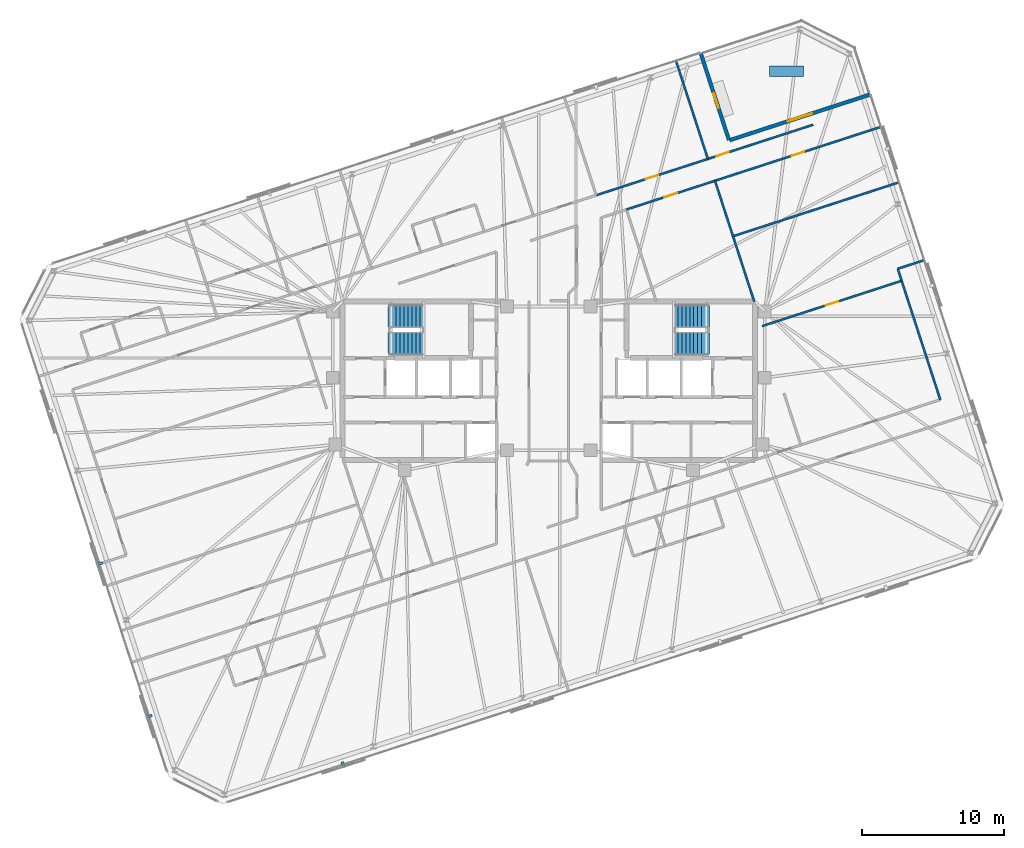
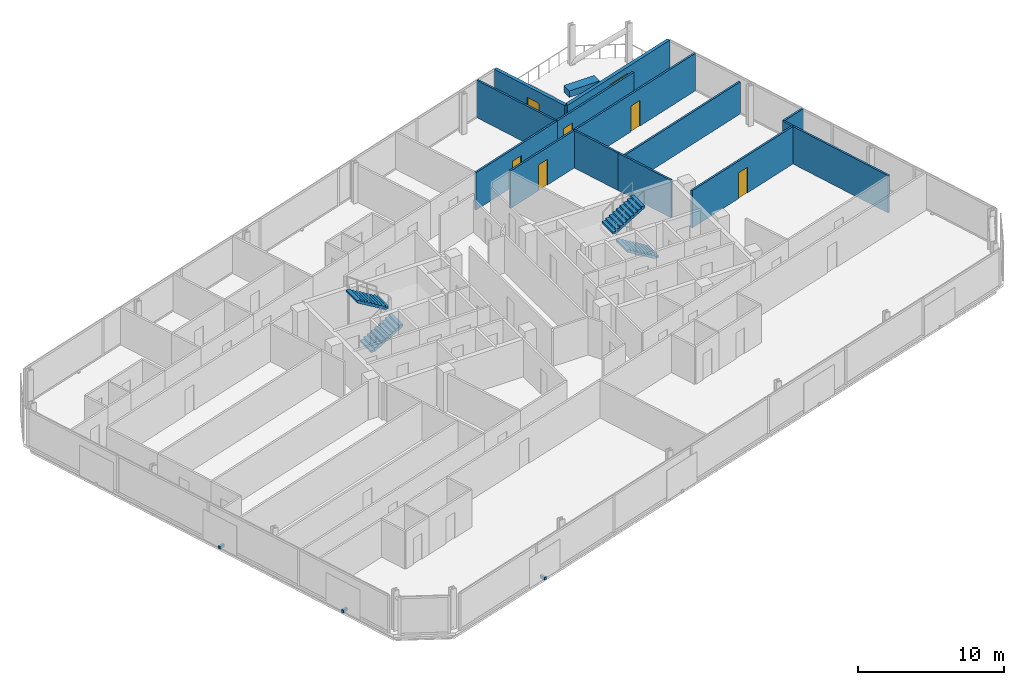
# One storey, part 17 of 19: 14 walls, 6 doors, 4 discrete accessories, 4 stair flights, 1 window, 7 openings, 2 elements without a shape of their own.
"""IFC4 building model written with IfcOpenShell, lengths in metres."""

from ifc_helpers import new_model, si_unit, direction, frame, frame_2d, origin, origin_2d, place, context, subcontext, project, spatial, polyline, rectangle, outline, extrude, material, layer, layer_set, type_object, element, fill, aggregate, save


model = new_model("IFC4")

# Units and contexts
model_context = context("Model", 3, precision=1e-05, world=origin(), true_north=direction((0.0, 1.0)))
body_context = subcontext(model_context, "Body", "Model", "MODEL_VIEW")
ifc_project = project(units=[si_unit("LENGTHUNIT", "METRE"), si_unit("AREAUNIT", "SQUARE_METRE"), si_unit("VOLUMEUNIT", "CUBIC_METRE"), si_unit("PLANEANGLEUNIT", "RADIAN"), si_unit("MASSUNIT", "GRAM", prefix="KILO")], contexts=[model_context])

# Site, building, storey
site_placement = place(None, origin())
site = spatial("IfcSite", under=ifc_project, at=site_placement, CompositionType="ELEMENT")
building_placement = place(site_placement, origin())
building = spatial("IfcBuilding", under=site, at=building_placement, Name="Menara Jurai Vektor", CompositionType="ELEMENT")
storey_placement = place(building_placement, frame((0.0, 0.0, 231.0)))
storey = spatial("IfcBuildingStorey", under=building, at=storey_placement, Name="L61", CompositionType="ELEMENT", Elevation=231.0)

# Wall, opening, window
ifc_material_1 = material(Name="Insulated Pale Aluminium Terrace Wall", Category="aluminium")
ifc_layer_1 = layer(ifc_material_1, 0.260009765625)
ifc_layer_set_1 = layer_set([ifc_layer_1], Name="Insulated Pale Aluminium Terrace Wall")
wall_type_1 = type_object("IfcWallType", Name="ENV-WALL-EXT260", PredefinedType="STANDARD", material=ifc_layer_set_1)
wall_1_placement = place(storey_placement, frame((22.6826171875, 20.20947265625, 0.0), z_axis=(0.0, 0.0, 1.0), x_axis=(-0.951059842903, -0.309006755941, 0.0)))
wall_1 = element("IfcWall", 1, at=wall_1_placement, inside=storey, type_object=wall_type_1, Name="Recessed Sky Terrace Wall L61-01", PredefinedType="STANDARD", context=body_context, shape_type="SweptSolid", body=[
    extrude(rectangle(XDim=10.440185546875, YDim=0.260009765625, at=frame_2d((5.22021484375, 0.0))), origin(), (0.0, 0.0, 1.0), 3.125),
])
opening_1_placement = place(wall_1_placement, frame((4.320068359375, 0.0, 0.800048828125)))
opening_1 = element("IfcOpeningElement", 2, at=opening_1_placement, cuts=wall_1, Name="Opening TW-18", PredefinedType="OPENING", context=body_context, shape_type="SweptSolid", body=[
    extrude(rectangle(XDim=1.800048828125, YDim=1.800048828125, at=frame_2d((0.89990234375, 0.89990234375))), frame((0.0, 0.14013671875, 0.0), z_axis=(0.0, -1.0, 0.0), x_axis=(1.0, 0.0, 0.0)), (0.0, 0.0, 1.0), 0.280029296875),
])
ifc_material_2 = material(Name="Low-E Double Glazed Pale Aluminium Window", Category="aluminium")
window_type = type_object("IfcWindowType", Name="ENV-WIN-TER180", PartitioningType="SINGLE_PANEL", PredefinedType="WINDOW", material=ifc_material_2)
window_placement = place(opening_1_placement, origin())
window = element("IfcWindow", 3, at=window_placement, inside=storey, type_object=window_type, Name="Spiral Terrace Outlook Window L61", OverallHeight=1.800048828125, OverallWidth=1.800048828125, PartitioningType="SINGLE_PANEL", PredefinedType="WINDOW", context=body_context, shape_type="SweptSolid", body=[
    extrude(rectangle(XDim=1.800048828125, YDim=1.800048828125, at=frame_2d((0.89990234375, 0.89990234375))), frame((0.0, 0.030029296875, 0.0), z_axis=(0.0, -1.0, 0.0), x_axis=(1.0, 0.0, 0.0)), (0.0, 0.0, 1.0), 0.06005859375),
])
fill(opening_1, window)

# Wall, opening, door
wall_2_placement = place(storey_placement, frame((12.715576171875, 17.002685546875, 0.0), z_axis=(0.0, 0.0, 1.0), x_axis=(-0.309008064496, 0.951059417742, 0.0)))
wall_2 = element("IfcWall", 4, at=wall_2_placement, inside=storey, type_object=wall_type_1, Name="Recessed Sky Terrace Wall L61-02", PredefinedType="STANDARD", context=body_context, shape_type="SweptSolid", body=[
    extrude(rectangle(XDim=6.43994140625, YDim=0.260009765625, at=frame_2d((3.219970703125, 0.0))), origin(), (0.0, 0.0, 1.0), 3.125),
])
opening_2_placement = place(wall_2_placement, frame((2.347900390625, 0.0, 0.0)))
opening_2 = element("IfcOpeningElement", 5, at=opening_2_placement, cuts=wall_2, Name="Opening TD-L61", PredefinedType="OPENING", context=body_context, shape_type="SweptSolid", body=[
    extrude(rectangle(XDim=1.10009765625, YDim=2.199951171875, at=frame_2d((0.550048828125, 1.10009765625))), frame((0.0, 0.14013671875, 0.0), z_axis=(0.0, -1.0, 0.0), x_axis=(1.0, 0.0, 0.0)), (0.0, 0.0, 1.0), 0.280029296875),
])
ifc_material_3 = material(Name="Anodised Aluminium Glazed Terrace Door", Category="aluminium")
door_type_1 = type_object("IfcDoorType", Name="ENV-DOOR-TER110", OperationType="NOTDEFINED", PredefinedType="DOOR", material=ifc_material_3)
door_1_placement = place(opening_2_placement, frame((1.10009765625, 0.0, 0.0), z_axis=(0.0, 0.0, 1.0), x_axis=(-1.0, 0.0, 0.0)))
door_1 = element("IfcDoor", 6, at=door_1_placement, inside=storey, type_object=door_type_1, Name="Spiral Corner Terrace Access Door L61", OperationType="SINGLE_SWING_LEFT", OverallHeight=2.199951171875, OverallWidth=1.10009765625, PredefinedType="DOOR", context=body_context, shape_type="SweptSolid", body=[
    extrude(rectangle(XDim=1.10009765625, YDim=2.199951171875, at=frame_2d((0.550048828125, 1.10009765625))), frame((0.0, 0.02490234375, 0.0), z_axis=(0.0, -1.0, 0.0), x_axis=(1.0, 0.0, 0.0)), (0.0, 0.0, 1.0), 0.050048828125),
])
fill(opening_2, door_1)

ifc_material_4 = material(Name="Gypsum Fireboard Partition", Category="gypsum")
ifc_layer_2 = layer(ifc_material_4, 0.14990234375)
ifc_layer_set_2 = layer_set([ifc_layer_2], Name="Gypsum Fireboard Partition")
wall_type_2 = type_object("IfcWallType", Name="INT-WALL-CORR-150", PredefinedType="PARTITIONING", material=ifc_layer_set_2)
wall_3_placement = place(storey_placement, frame((5.47900390625, 12.092041015625, 0.0), z_axis=(0.0, 0.0, 1.0), x_axis=(0.951051809397, 0.309031480343, 0.0)))
wall_3 = element("IfcWall", 7, at=wall_3_placement, inside=storey, type_object=wall_type_2, Name="Interior Wall IW-150 L61", PredefinedType="PARTITIONING", context=body_context, shape_type="SweptSolid", body=[
    extrude(rectangle(XDim=6.572998046875, YDim=0.14990234375, at=frame_2d((3.28662109375, 0.0))), origin(), (0.0, 0.0, 1.0), 3.125),
])
opening_3_placement = place(wall_3_placement, frame((2.826416015625, 0.0, 0.0)))
opening_3 = element("IfcOpeningElement", 8, at=opening_3_placement, cuts=wall_3, Name="Opening D61-35", PredefinedType="OPENING", context=body_context, shape_type="SweptSolid", body=[
    extrude(rectangle(XDim=0.919921875, YDim=2.14990234375, at=frame_2d((0.4599609375, 1.074951171875))), frame((0.0, 0.0849609375, 0.0), z_axis=(0.0, -1.0, 0.0), x_axis=(1.0, 0.0, 0.0)), (0.0, 0.0, 1.0), 0.169921875),
])
ifc_material_5 = material(Name="Solid Core Timber Fire Door", Category="wood")
door_type_2 = type_object("IfcDoorType", Name="DR-ENTRY-950", OperationType="NOTDEFINED", PredefinedType="DOOR", material=ifc_material_5)
door_2_placement = place(opening_3_placement, origin())
door_2 = element("IfcDoor", 9, at=door_2_placement, inside=storey, type_object=door_type_2, Name="Interior Door D61-35", OperationType="SINGLE_SWING_RIGHT", OverallHeight=2.14990234375, OverallWidth=0.919921875, PredefinedType="DOOR", context=body_context, shape_type="SweptSolid", body=[
    extrude(rectangle(XDim=0.919921875, YDim=2.14990234375, at=frame_2d((0.4599609375, 1.074951171875))), frame((0.0, 0.02490234375, 0.0), z_axis=(0.0, -1.0, 0.0), x_axis=(1.0, 0.0, 0.0)), (0.0, 0.0, 1.0), 0.050048828125),
])
fill(opening_3, door_2)

wall_4_placement = place(storey_placement, frame((3.345458984375, 13.102294921875, 0.0), z_axis=(0.0, 0.0, 1.0), x_axis=(0.951061984224, 0.309000165314, 0.0)))
wall_4 = element("IfcWall", 10, at=wall_4_placement, inside=storey, type_object=wall_type_2, Name="Interior Wall IW-150 L61", PredefinedType="PARTITIONING", context=body_context, shape_type="SweptSolid", body=[
    extrude(rectangle(XDim=8.289794921875, YDim=0.14990234375, at=frame_2d((4.14501953125, 0.0))), origin(), (0.0, 0.0, 1.0), 3.125),
])
opening_4_placement = place(wall_4_placement, frame((3.68505859375, 0.0, 0.0)))
opening_4 = element("IfcOpeningElement", 11, at=opening_4_placement, cuts=wall_4, Name="Opening D61-42", PredefinedType="OPENING", context=body_context, shape_type="SweptSolid", body=[
    extrude(rectangle(XDim=0.919921875, YDim=2.14990234375, at=frame_2d((0.4599609375, 1.074951171875))), frame((0.0, 0.0849609375, 0.0), z_axis=(0.0, -1.0, 0.0), x_axis=(1.0, 0.0, 0.0)), (0.0, 0.0, 1.0), 0.169921875),
])
door_3_placement = place(opening_4_placement, origin())
door_3 = element("IfcDoor", 12, at=door_3_placement, inside=storey, type_object=door_type_2, Name="Interior Door D61-42", OperationType="SINGLE_SWING_LEFT", OverallHeight=2.14990234375, OverallWidth=0.919921875, PredefinedType="DOOR", context=body_context, shape_type="SweptSolid", body=[
    extrude(rectangle(XDim=0.919921875, YDim=2.14990234375, at=frame_2d((0.4599609375, 1.074951171875))), frame((0.0, 0.02490234375, 0.0), z_axis=(0.0, -1.0, 0.0), x_axis=(1.0, 0.0, 0.0)), (0.0, 0.0, 1.0), 0.050048828125),
])
fill(opening_4, door_3)

# Walls
wall_5_placement = place(storey_placement, frame((27.63671875, -1.331787109375, 0.0), z_axis=(0.0, 0.0, 1.0), x_axis=(-0.309040411618, 0.951048907253, 0.0)))
element("IfcWall", 13, at=wall_5_placement, inside=storey, type_object=wall_type_2, Name="Interior Wall IW-150 L61", PredefinedType="PARTITIONING", context=body_context, shape_type="SweptSolid", body=[
    extrude(rectangle(XDim=8.825927734375, YDim=0.14990234375, at=frame_2d((4.4130859375, 0.0))), origin(), (0.0, 0.0, 1.0), 3.125),
])
wall_6_placement = place(storey_placement, frame((24.9091796875, 7.06201171875, 0.0), z_axis=(0.0, 0.0, 1.0), x_axis=(-0.30899324298, 0.951064233263, 0.0)))
element("IfcWall", 14, at=wall_6_placement, inside=storey, type_object=wall_type_2, Name="Interior Wall IW-150 L61", PredefinedType="PARTITIONING", context=body_context, shape_type="SweptSolid", body=[
    extrude(rectangle(XDim=0.89208984375, YDim=0.14990234375, at=frame_2d((0.446044921875, 0.0))), origin(), (0.0, 0.0, 1.0), 3.125),
])
wall_7_placement = place(storey_placement, frame((24.633544921875, 7.910400390625, 0.0), z_axis=(0.0, 0.0, 1.0), x_axis=(0.951054051148, 0.309024581215, 0.0)))
element("IfcWall", 15, at=wall_7_placement, inside=storey, type_object=wall_type_2, Name="Interior Wall IW-150 L61", PredefinedType="PARTITIONING", context=body_context, shape_type="SweptSolid", body=[
    extrude(rectangle(XDim=1.97509765625, YDim=0.14990234375, at=frame_2d((0.987548828125, 0.0))), origin(), (0.0, 0.0, 1.0), 3.125),
])

# Wall, opening, door
wall_8_placement = place(storey_placement, frame((11.730224609375, 14.123291015625, 0.0), z_axis=(0.0, 0.0, 1.0), x_axis=(0.951060263663, 0.309005460926, 0.0)))
wall_8 = element("IfcWall", 16, at=wall_8_placement, inside=storey, type_object=wall_type_2, Name="Interior Wall IW-150 L61", PredefinedType="PARTITIONING", context=body_context, shape_type="SweptSolid", body=[
    extrude(rectangle(XDim=12.326904296875, YDim=0.14990234375, at=frame_2d((6.16357421875, 0.0))), origin(), (0.0, 0.0, 1.0), 3.125),
])
opening_5_placement = place(wall_8_placement, frame((5.70361328125, 0.0, 0.0)))
opening_5 = element("IfcOpeningElement", 17, at=opening_5_placement, cuts=wall_8, Name="Opening D61-45", PredefinedType="OPENING", context=body_context, shape_type="SweptSolid", body=[
    extrude(rectangle(XDim=0.919921875, YDim=2.14990234375, at=frame_2d((0.4599609375, 1.074951171875))), frame((0.0, 0.0849609375, 0.0), z_axis=(0.0, -1.0, 0.0), x_axis=(1.0, 0.0, 0.0)), (0.0, 0.0, 1.0), 0.169921875),
])
door_4_placement = place(opening_5_placement, origin())
door_4 = element("IfcDoor", 18, at=door_4_placement, inside=storey, type_object=door_type_2, Name="Interior Door D61-45", OperationType="SINGLE_SWING_RIGHT", OverallHeight=2.14990234375, OverallWidth=0.919921875, PredefinedType="DOOR", context=body_context, shape_type="SweptSolid", body=[
    extrude(rectangle(XDim=0.919921875, YDim=2.14990234375, at=frame_2d((0.4599609375, 1.074951171875))), frame((0.0, 0.02490234375, 0.0), z_axis=(0.0, -1.0, 0.0), x_axis=(1.0, 0.0, 0.0)), (0.0, 0.0, 1.0), 0.050048828125),
])
fill(opening_5, door_4)

wall_9_placement = place(storey_placement, frame((11.2294921875, 15.663818359375, 0.0), z_axis=(0.0, 0.0, 1.0), x_axis=(0.951056113966, 0.309018232614, 0.0)))
wall_9 = element("IfcWall", 19, at=wall_9_placement, inside=storey, type_object=wall_type_2, Name="Interior Wall IW-150 L61", PredefinedType="PARTITIONING", context=body_context, shape_type="SweptSolid", body=[
    extrude(rectangle(XDim=7.81201171875, YDim=0.14990234375, at=frame_2d((3.906005859375, 0.0))), origin(), (0.0, 0.0, 1.0), 3.125),
])
opening_6_placement = place(wall_9_placement, frame((0.6337890625, 0.0, 0.0)))
opening_6 = element("IfcOpeningElement", 20, at=opening_6_placement, cuts=wall_9, Name="Opening D61-46", PredefinedType="OPENING", context=body_context, shape_type="SweptSolid", body=[
    extrude(rectangle(XDim=0.919921875, YDim=2.14990234375, at=frame_2d((0.4599609375, 1.074951171875))), frame((0.0, 0.0849609375, 0.0), z_axis=(0.0, -1.0, 0.0), x_axis=(1.0, 0.0, 0.0)), (0.0, 0.0, 1.0), 0.169921875),
])
door_5_placement = place(opening_6_placement, origin())
door_5 = element("IfcDoor", 21, at=door_5_placement, inside=storey, type_object=door_type_2, Name="Interior Door D61-46", OperationType="SINGLE_SWING_LEFT", OverallHeight=2.14990234375, OverallWidth=0.919921875, PredefinedType="DOOR", context=body_context, shape_type="SweptSolid", body=[
    extrude(rectangle(XDim=0.919921875, YDim=2.14990234375, at=frame_2d((0.4599609375, 1.074951171875))), frame((0.0, 0.02490234375, 0.0), z_axis=(0.0, -1.0, 0.0), x_axis=(1.0, 0.0, 0.0)), (0.0, 0.0, 1.0), 0.050048828125),
])
fill(opening_6, door_5)

# Walls
wall_10_placement = place(storey_placement, frame((14.49951171875, 5.599853515625, 0.0), z_axis=(0.0, 0.0, 1.0), x_axis=(-0.308974360462, 0.951070367837, 0.0)))
element("IfcWall", 22, at=wall_10_placement, inside=storey, type_object=wall_type_2, Name="Interior Wall IW-150 L61", PredefinedType="PARTITIONING", context=body_context, shape_type="SweptSolid", body=[
    extrude(rectangle(XDim=4.843017578125, YDim=0.14990234375, at=frame_2d((2.42138671875, 0.0))), origin(), (0.0, 0.0, 1.0), 3.125),
])
wall_11_placement = place(storey_placement, frame((13.003173828125, 10.205810546875, 0.0), z_axis=(0.0, 0.0, 1.0), x_axis=(-0.309035144366, 0.951050618814, 0.0)))
element("IfcWall", 23, at=wall_11_placement, inside=storey, type_object=wall_type_2, Name="Interior Wall IW-150 L61", PredefinedType="PARTITIONING", context=body_context, shape_type="SweptSolid", body=[
    extrude(rectangle(XDim=4.119140625, YDim=0.14990234375, at=frame_2d((2.0595703125, 0.0))), origin(), (0.0, 0.0, 1.0), 3.125),
])
wall_12_placement = place(storey_placement, frame((11.2294921875, 15.663818359375, 0.0), z_axis=(0.0, 0.0, 1.0), x_axis=(-0.308998913866, 0.951062390819, 0.0)))
element("IfcWall", 24, at=wall_12_placement, inside=storey, type_object=wall_type_2, Name="Interior Wall IW-150 L61", PredefinedType="PARTITIONING", context=body_context, shape_type="SweptSolid", body=[
    extrude(rectangle(XDim=7.283935546875, YDim=0.14990234375, at=frame_2d((3.64208984375, 0.0))), origin(), (0.0, 0.0, 1.0), 3.125),
])

# Wall, opening, door
wall_13_placement = place(storey_placement, frame((15.06396484375, 3.86328125, 0.0), z_axis=(0.0, 0.0, 1.0), x_axis=(0.951061448945, 0.309001812827, 0.0)))
wall_13 = element("IfcWall", 25, at=wall_13_placement, inside=storey, type_object=wall_type_2, Name="Interior Wall IW-150 L61", PredefinedType="PARTITIONING", context=body_context, shape_type="SweptSolid", body=[
    extrude(rectangle(XDim=10.351806640625, YDim=0.14990234375, at=frame_2d((5.17578125, 0.0))), origin(), (0.0, 0.0, 1.0), 3.125),
])
opening_7_placement = place(wall_13_placement, frame((4.716064453125, 0.0, 0.0)))
opening_7 = element("IfcOpeningElement", 26, at=opening_7_placement, cuts=wall_13, Name="Opening D61-44", PredefinedType="OPENING", context=body_context, shape_type="SweptSolid", body=[
    extrude(rectangle(XDim=0.919921875, YDim=2.14990234375, at=frame_2d((0.4599609375, 1.074951171875))), frame((0.0, 0.0849609375, 0.0), z_axis=(0.0, -1.0, 0.0), x_axis=(1.0, 0.0, 0.0)), (0.0, 0.0, 1.0), 0.169921875),
])
door_6_placement = place(opening_7_placement, origin())
door_6 = element("IfcDoor", 27, at=door_6_placement, inside=storey, type_object=door_type_2, Name="Interior Door D61-44", OperationType="SINGLE_SWING_LEFT", OverallHeight=2.14990234375, OverallWidth=0.919921875, PredefinedType="DOOR", context=body_context, shape_type="SweptSolid", body=[
    extrude(rectangle(XDim=0.919921875, YDim=2.14990234375, at=frame_2d((0.4599609375, 1.074951171875))), frame((0.0, 0.02490234375, 0.0), z_axis=(0.0, -1.0, 0.0), x_axis=(1.0, 0.0, 0.0)), (0.0, 0.0, 1.0), 0.050048828125),
])
fill(opening_7, door_6)

# Wall
ifc_layer_3 = layer(ifc_material_4, 0.14990234375)
ifc_layer_set_3 = layer_set([ifc_layer_3], Name="Gypsum Fireboard Partition")
wall_type_3 = type_object("IfcWallType", Name="INT-WALL-CORR-150-H1", PredefinedType="PARTITIONING", material=ifc_layer_set_3)
wall_14_placement = place(storey_placement, frame((13.003173828125, 10.205810546875, 0.0), z_axis=(0.0, 0.0, 1.0), x_axis=(0.951060263663, 0.309005460926, 0.0)))
element("IfcWall", 28, at=wall_14_placement, inside=storey, type_object=wall_type_3, Name="Interior Wall IW-150 L61", PredefinedType="PARTITIONING", context=body_context, shape_type="SweptSolid", body=[
    extrude(rectangle(XDim=12.326904296875, YDim=0.14990234375, at=frame_2d((6.16357421875, 0.0))), origin(), (0.0, 0.0, 1.0), 2.675048828125),
])

# Stair, stair flights
ifc_material_6 = material(Name="Concrete C40/50", Category="concrete")
stair_type = type_object("IfcStairType", Name="STAIR-DOGLEG-1500", PredefinedType="HALF_TURN_STAIR", material=ifc_material_6)
stair_1_placement = place(storey_placement, origin())
stair_1 = element("IfcStair", 29, at=stair_1_placement, inside=storey, type_object=stair_type, Name="Protected Exit Stair ST1 L61", PredefinedType="HALF_TURN_STAIR")
stair_flight_type = type_object("IfcStairFlightType", Name="STAIR-FLIGHT-1500", PredefinedType="STRAIGHT", material=ifc_material_6)
stair_flight_1_placement = place(storey_placement, frame((-11.35009765625, 2.64990234375, 0.0), z_axis=(0.0, 0.0, 1.0), x_axis=(1.0, 0.0, 0.0)))
stair_flight_1 = element("IfcStairFlight", 30, at=stair_flight_1_placement, type_object=stair_flight_type, Name="ST1 flight 1", NumberOfRisers=10, NumberOfTreads=9, PredefinedType="STRAIGHT", RiserHeight=0.1675, TreadLength=0.28, context=body_context, shape_type="SweptSolid", body=[
    extrude(outline(polyline([(0.0, 0.0), (0.0, 0.16748046875), (0.280029296875, 0.16748046875), (0.280029296875, 0.3349609375), (0.56005859375, 0.3349609375), (0.56005859375, 0.50244140625), (0.840087890625, 0.50244140625), (0.840087890625, 0.669921875), (1.1201171875, 0.669921875), (1.1201171875, 0.83740234375), (1.39990234375, 0.83740234375), (1.39990234375, 1.0048828125), (1.679931640625, 1.0048828125), (1.679931640625, 1.172607421875), (1.9599609375, 1.172607421875), (1.9599609375, 1.340087890625), (2.239990234375, 1.340087890625), (2.239990234375, 1.507568359375), (2.52001953125, 1.507568359375), (2.52001953125, 1.675048828125), (2.52001953125, 1.321044921875), (0.3115234375, 0.0), (0.0, 0.0)])), frame((0.0, 0.75, 0.0), z_axis=(0.0, -1.0, 0.0), x_axis=(1.0, 0.0, 0.0)), (0.0, 0.0, 1.0), 1.5),
])
stair_flight_2_placement = place(storey_placement, frame((-8.830078125, 4.550048828125, 1.675048828125), z_axis=(0.0, 0.0, 1.0), x_axis=(-1.0, 0.0, 0.0)))
stair_flight_2 = element("IfcStairFlight", 31, at=stair_flight_2_placement, type_object=stair_flight_type, Name="ST1 flight 2", NumberOfRisers=10, NumberOfTreads=9, PredefinedType="STRAIGHT", RiserHeight=0.1675, TreadLength=0.28, context=body_context, shape_type="SweptSolid", body=[
    extrude(outline(polyline([(0.0, 0.0), (0.0, 0.16748046875), (0.280029296875, 0.16748046875), (0.280029296875, 0.3349609375), (0.56005859375, 0.3349609375), (0.56005859375, 0.50244140625), (0.840087890625, 0.50244140625), (0.840087890625, 0.669921875), (1.1201171875, 0.669921875), (1.1201171875, 0.83740234375), (1.39990234375, 0.83740234375), (1.39990234375, 1.0048828125), (1.679931640625, 1.0048828125), (1.679931640625, 1.172607421875), (1.9599609375, 1.172607421875), (1.9599609375, 1.340087890625), (2.239990234375, 1.340087890625), (2.239990234375, 1.507568359375), (2.52001953125, 1.507568359375), (2.52001953125, 1.675048828125), (2.52001953125, 1.321044921875), (0.3115234375, 0.0), (0.0, 0.0)])), frame((0.0, 0.75, 0.0), z_axis=(0.0, -1.0, 0.0), x_axis=(1.0, 0.0, 0.0)), (0.0, 0.0, 1.0), 1.5),
])
aggregate(stair_1, [stair_flight_1, stair_flight_2])

stair_2_placement = place(storey_placement, origin())
stair_2 = element("IfcStair", 32, at=stair_2_placement, inside=storey, type_object=stair_type, Name="Protected Exit Stair ST2 L61", PredefinedType="HALF_TURN_STAIR")
stair_flight_3_placement = place(storey_placement, frame((11.35009765625, 2.64990234375, 0.0), z_axis=(0.0, 0.0, 1.0), x_axis=(-1.0, 0.0, 0.0)))
stair_flight_3 = element("IfcStairFlight", 33, at=stair_flight_3_placement, type_object=stair_flight_type, Name="ST2 flight 1", NumberOfRisers=10, NumberOfTreads=9, PredefinedType="STRAIGHT", RiserHeight=0.1675, TreadLength=0.28, context=body_context, shape_type="SweptSolid", body=[
    extrude(outline(polyline([(0.0, 0.0), (0.0, 0.16748046875), (0.280029296875, 0.16748046875), (0.280029296875, 0.3349609375), (0.56005859375, 0.3349609375), (0.56005859375, 0.50244140625), (0.840087890625, 0.50244140625), (0.840087890625, 0.669921875), (1.1201171875, 0.669921875), (1.1201171875, 0.83740234375), (1.39990234375, 0.83740234375), (1.39990234375, 1.0048828125), (1.679931640625, 1.0048828125), (1.679931640625, 1.172607421875), (1.9599609375, 1.172607421875), (1.9599609375, 1.340087890625), (2.239990234375, 1.340087890625), (2.239990234375, 1.507568359375), (2.52001953125, 1.507568359375), (2.52001953125, 1.675048828125), (2.52001953125, 1.321044921875), (0.3115234375, 0.0), (0.0, 0.0)])), frame((0.0, 0.75, 0.0), z_axis=(0.0, -1.0, 0.0), x_axis=(1.0, 0.0, 0.0)), (0.0, 0.0, 1.0), 1.5),
])
stair_flight_4_placement = place(storey_placement, frame((8.830078125, 4.550048828125, 1.675048828125), z_axis=(0.0, 0.0, 1.0), x_axis=(1.0, 0.0, 0.0)))
stair_flight_4 = element("IfcStairFlight", 34, at=stair_flight_4_placement, type_object=stair_flight_type, Name="ST2 flight 2", NumberOfRisers=10, NumberOfTreads=9, PredefinedType="STRAIGHT", RiserHeight=0.1675, TreadLength=0.28, context=body_context, shape_type="SweptSolid", body=[
    extrude(outline(polyline([(0.0, 0.0), (0.0, 0.16748046875), (0.280029296875, 0.16748046875), (0.280029296875, 0.3349609375), (0.56005859375, 0.3349609375), (0.56005859375, 0.50244140625), (0.840087890625, 0.50244140625), (0.840087890625, 0.669921875), (1.1201171875, 0.669921875), (1.1201171875, 0.83740234375), (1.39990234375, 0.83740234375), (1.39990234375, 1.0048828125), (1.679931640625, 1.0048828125), (1.679931640625, 1.172607421875), (1.9599609375, 1.172607421875), (1.9599609375, 1.340087890625), (2.239990234375, 1.340087890625), (2.239990234375, 1.507568359375), (2.52001953125, 1.507568359375), (2.52001953125, 1.675048828125), (2.52001953125, 1.321044921875), (0.3115234375, 0.0), (0.0, 0.0)])), frame((0.0, 0.75, 0.0), z_axis=(0.0, -1.0, 0.0), x_axis=(1.0, 0.0, 0.0)), (0.0, 0.0, 1.0), 1.5),
])
aggregate(stair_2, [stair_flight_3, stair_flight_4])

# Discrete accessories
ifc_material_7 = material(Name="Steel S355", Category="steel")
discrete_accessory_type_1 = type_object("IfcDiscreteAccessoryType", Name="ENV-ACC-BRACKET", PredefinedType="BRACKET", material=ifc_material_7)
for number, where, z_axis, x_axis, name in (
    (35, (-31.724609375, -12.914306640625, -0.1298828125), (0.0, 0.0, 1.0), (0.309016994375, -0.951056516295, 0.0), "Solar Screen Stand-Off Bracket L61-S06"),
    (36, (-28.222412109375, -23.693115234375, -0.1298828125), (0.0, 0.0, 1.0), (0.309016994375, -0.951056516295, 0.0), "Solar Screen Stand-Off Bracket L61-S07"),
    (37, (-14.524658203125, -27.1142578125, -0.1298828125), (0.0, 0.0, 1.0), (0.951056516295, 0.309016994375, 0.0), "Solar Screen Stand-Off Bracket L61-S08"),
):
    element("IfcDiscreteAccessory", number, at=place(storey_placement, frame(where, z_axis=z_axis, x_axis=x_axis)), inside=storey, type_object=discrete_accessory_type_1, Name=name, PredefinedType="BRACKET", context=body_context, shape_type="SweptSolid", body=[
        extrude(rectangle(XDim=0.179931640625, YDim=0.43994140625, at=origin_2d()), origin(), (0.0, 0.0, 1.0), 0.219970703125),
    ])
ifc_material_8 = material(Name="Concrete C40/50 precast", Category="concrete")
discrete_accessory_type_2 = type_object("IfcDiscreteAccessoryType", Name="ENV-ACC-PLANTER", PredefinedType="USERDEFINED", material=ifc_material_8)
discrete_accessory_placement = place(storey_placement, frame((16.7939453125, 21.844970703125, 0.0), z_axis=(0.0, 0.0, 1.0), x_axis=(1.0, 0.0, 0.0)))
element("IfcDiscreteAccessory", 38, at=discrete_accessory_placement, inside=storey, type_object=discrete_accessory_type_2, Name="Spiral Terrace Planter Box L61-CRN", ObjectType="PLANTER", PredefinedType="USERDEFINED", context=body_context, shape_type="SweptSolid", body=[
    extrude(rectangle(XDim=2.39990234375, YDim=0.75, at=origin_2d()), origin(), (0.0, 0.0, 1.0), 0.550048828125),
])

save(model, "model.ifc")
